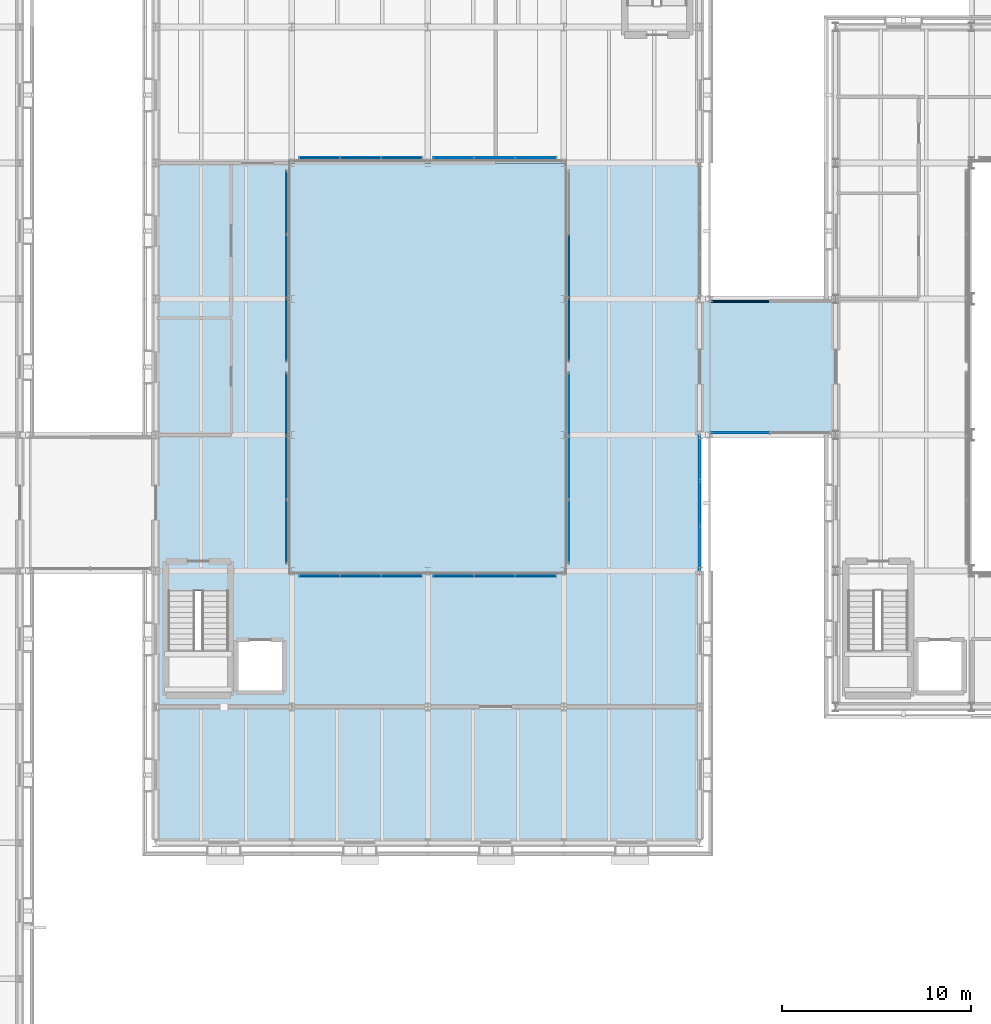
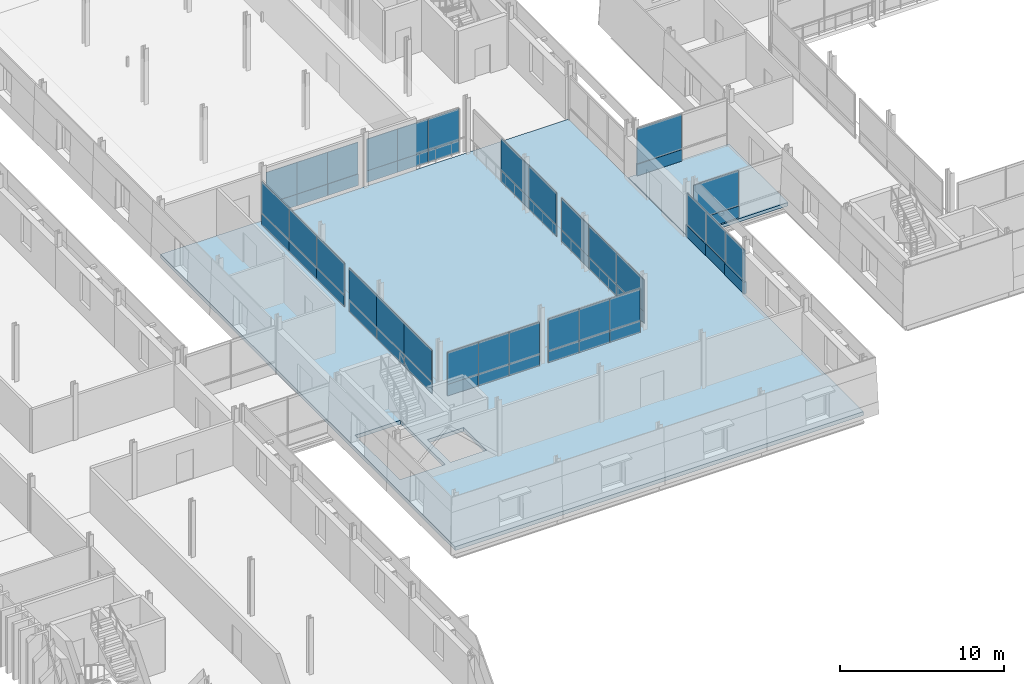
# One storey, part 54 of 115: 56 plates, 2 slabs, 11 elements without a shape of their own.
"""IFC4 building model written with IfcOpenShell, lengths in metres."""

from ifc_helpers import new_model, si_unit, direction, frame, origin, origin_2d, place, context, subcontext, project, spatial, polyline, rectangle, outline, extrude, material, layer, layer_set, type_object, element, aggregate, save


model = new_model("IFC4")

# Units and contexts
model_context = context("Model", 3, precision=1e-05, world=origin(), true_north=direction((0.0, 1.0)))
body_context = subcontext(model_context, "Body", "Model", "MODEL_VIEW")
ifc_project = project(units=[si_unit("LENGTHUNIT", "METRE"), si_unit("AREAUNIT", "SQUARE_METRE"), si_unit("VOLUMEUNIT", "CUBIC_METRE"), si_unit("PLANEANGLEUNIT", "RADIAN"), si_unit("MASSUNIT", "GRAM", prefix="KILO")], contexts=[model_context])

# Site, building, storey
site_placement = place(None, origin())
site = spatial("IfcSite", under=ifc_project, at=site_placement, CompositionType="ELEMENT")
building_placement = place(site_placement, origin())
building = spatial("IfcBuilding", under=site, at=building_placement, Name="Narikvali Park Central Library", CompositionType="ELEMENT")
storey_placement = place(building_placement, frame((0.0, 0.0, 10.199951171875)))
storey = spatial("IfcBuildingStorey", under=building, at=storey_placement, Name="L02", CompositionType="ELEMENT", Elevation=10.199951171875)

# Slabs
ifc_material_1 = material(Name="Concrete C40/50", Category="concrete")
ifc_layer_1 = layer(ifc_material_1, 0.25, Name="Concrete C40/50")
ifc_layer_set_1 = layer_set([ifc_layer_1], Name="Concrete C40/50")
slab_type_1 = type_object("IfcSlabType", Name="Bridge Sliding Deck Slab 250", PredefinedType="FLOOR", material=ifc_layer_set_1)
slab_1_placement = place(storey_placement, frame((0.0, 0.0, -0.25)))
element("IfcSlab", 1, at=slab_1_placement, inside=storey, type_object=slab_type_1, Name="BRG-2 L02 Covered Bridge Deck", PredefinedType="FLOOR", context=body_context, shape_type="SweptSolid", body=[
    extrude(outline(polyline([(57.639892578125, 72.0), (64.760009765625, 72.0), (64.760009765625, 79.199951171875), (57.639892578125, 79.199951171875), (57.639892578125, 72.0)])), origin(), (0.0, 0.0, 1.0), 0.25),
])
ifc_material_2 = material(Name="Concrete C35/45", Category="concrete")
ifc_layer_2 = layer(ifc_material_2, 0.280029296875, Name="Concrete C35/45")
ifc_layer_set_2 = layer_set([ifc_layer_2], Name="Concrete C35/45")
slab_type_2 = type_object("IfcSlabType", Name="Composite Reading Floor Slab 280", PredefinedType="FLOOR", material=ifc_layer_set_2)
slab_2_placement = place(storey_placement, frame((0.0, 0.0, -0.280029296875)))
element("IfcSlab", 2, at=slab_2_placement, inside=storey, type_object=slab_type_2, Name="V4 L02 Structural Slab Panel 1", PredefinedType="FLOOR", context=body_context, shape_type="SweptSolid", body=[
    extrude(outline(polyline([(28.800048828125, 50.39990234375), (57.60009765625, 50.39990234375), (57.60009765625, 86.39990234375), (28.800048828125, 86.39990234375), (28.800048828125, 50.39990234375)]), holes=[polyline([(29.449951171875, 58.300048828125), (32.64990234375, 58.300048828125), (32.64990234375, 63.75), (29.449951171875, 63.75), (29.449951171875, 58.300048828125)]), polyline([(33.050048828125, 58.35009765625), (35.60009765625, 58.35009765625), (35.60009765625, 61.14990234375), (33.050048828125, 61.14990234375), (33.050048828125, 58.35009765625)])]), origin(), (0.0, 0.0, 1.0), 0.280029296875),
])

# Curtain wall, plate
ifc_material_3 = material(Name="Anodised Bronze Aluminium", Category="aluminium")
ifc_layer_3 = layer(ifc_material_3, 0.219970703125, Name="Anodised Bronze Aluminium")
ifc_layer_set_3 = layer_set([ifc_layer_3], Name="Anodised Bronze Aluminium")
curtain_wall_type_1 = type_object("IfcCurtainWallType", Name="Atrium Tall Curtain Wall System", PredefinedType="NOTDEFINED", material=ifc_layer_set_3)
curtain_wall_1_placement = place(storey_placement, origin())
curtain_wall_1 = element("IfcCurtainWall", 3, at=curtain_wall_1_placement, inside=storey, type_object=curtain_wall_type_1, Name="Atrium Tall Curtain Wall System CW-V4-L02-E-03", PredefinedType="NOTDEFINED")
ifc_material_4 = material(Name="Anodised Bronze Acoustic Spandrel Cassette")
ifc_layer_4 = layer(ifc_material_4, 0.1650390625, Name="Anodised Bronze Acoustic Spandrel Cassette")
ifc_layer_set_4 = layer_set([ifc_layer_4], Name="Anodised Bronze Acoustic Spandrel Cassette")
plate_type_1 = type_object("IfcPlateType", Name="Curtain Wall Acoustic Plenum Louvre Cassette 165", PredefinedType="CURTAIN_PANEL", material=ifc_layer_set_4)
plate_1_placement = place(storey_placement, frame((57.60009765625, 66.025390625, 0.03515625), z_axis=(0.0, 0.0, 1.0), x_axis=(0.0, 1.0, 0.0)))
plate_1 = element("IfcPlate", 4, at=plate_1_placement, type_object=plate_type_1, Name="CW-V4-L02-E-03 Panel 00-0", PredefinedType="CURTAIN_PANEL", context=body_context, shape_type="SweptSolid", body=[
    extrude(rectangle(XDim=2.36474609375, YDim=0.1650390625, at=origin_2d()), origin(), (0.0, 0.0, 1.0), 0.860107421875),
])

ifc_layer_5 = layer(ifc_material_3, 0.219970703125, Name="Anodised Bronze Aluminium")
ifc_layer_set_5 = layer_set([ifc_layer_5], Name="Anodised Bronze Aluminium")
curtain_wall_type_2 = type_object("IfcCurtainWallType", Name="Bridge Covered Passage Glazing System", PredefinedType="NOTDEFINED", material=ifc_layer_set_5)
curtain_wall_2_placement = place(storey_placement, origin())
curtain_wall_2 = element("IfcCurtainWall", 5, at=curtain_wall_2_placement, inside=storey, type_object=curtain_wall_type_2, Name="Bridge Covered Passage Glazing System CW-BRG-2-L02-N1", PredefinedType="NOTDEFINED")
ifc_material_5 = material(Name="Heavy Acoustic Laminated Clerestory Glazing", Category="glass")
ifc_layer_6 = layer(ifc_material_5, 0.06396484375, Name="Heavy Acoustic Laminated Clerestory Glazing")
ifc_layer_set_6 = layer_set([ifc_layer_6], Name="Heavy Acoustic Laminated Clerestory Glazing")
plate_type_2 = type_object("IfcPlateType", Name="Curtain Wall Clerestory Laminated Acoustic Glass 64", PredefinedType="CURTAIN_PANEL", material=ifc_layer_set_6)
plate_2_placement = place(storey_placement, frame((59.737548828125, 79.080078125, 0.90478515625), z_axis=(0.0, 0.0, 1.0), x_axis=(1.0, 0.0, 0.0)))
plate_2 = element("IfcPlate", 6, at=plate_2_placement, type_object=plate_type_2, Name="CW-BRG-2-L02-N1 Panel 00-1", PredefinedType="CURTAIN_PANEL", context=body_context, shape_type="SweptSolid", body=[
    extrude(rectangle(XDim=3.1650390625, YDim=0.06396484375, at=origin_2d()), origin(), (0.0, 0.0, 1.0), 2.610107421875),
])

# Curtain wall, plates
curtain_wall_3_placement = place(storey_placement, origin())
curtain_wall_3 = element("IfcCurtainWall", 7, at=curtain_wall_3_placement, inside=storey, type_object=curtain_wall_type_1, Name="Atrium Tall Curtain Wall System CW-INT-V4-L02-W1", PredefinedType="NOTDEFINED")
plate_3_placement = place(storey_placement, frame((35.719970703125, 66.88330078125, 0.90478515625), z_axis=(0.0, 0.0, 1.0), x_axis=(0.0, 1.0, 0.0)))
plate_3 = element("IfcPlate", 8, at=plate_3_placement, type_object=plate_type_2, Name="CW-INT-V4-L02-W1 Panel 00-1", PredefinedType="CURTAIN_PANEL", context=body_context, shape_type="SweptSolid", body=[
    extrude(rectangle(XDim=3.356689453125, YDim=0.06396484375, at=origin_2d()), origin(), (0.0, 0.0, 1.0), 2.360107421875),
])
plate_4_placement = place(storey_placement, frame((35.719970703125, 70.25, 0.90478515625), z_axis=(0.0, 0.0, 1.0), x_axis=(0.0, 1.0, 0.0)))
plate_4 = element("IfcPlate", 9, at=plate_4_placement, type_object=plate_type_2, Name="CW-INT-V4-L02-W1 Panel 01-1", PredefinedType="CURTAIN_PANEL", context=body_context, shape_type="SweptSolid", body=[
    extrude(rectangle(XDim=3.356689453125, YDim=0.06396484375, at=origin_2d()), origin(), (0.0, 0.0, 1.0), 2.360107421875),
])
plate_5_placement = place(storey_placement, frame((35.719970703125, 73.61669921875, 0.90478515625), z_axis=(0.0, 0.0, 1.0), x_axis=(0.0, 1.0, 0.0)))
plate_5 = element("IfcPlate", 10, at=plate_5_placement, type_object=plate_type_2, Name="CW-INT-V4-L02-W1 Panel 02-1", PredefinedType="CURTAIN_PANEL", context=body_context, shape_type="SweptSolid", body=[
    extrude(rectangle(XDim=3.356689453125, YDim=0.06396484375, at=origin_2d()), origin(), (0.0, 0.0, 1.0), 2.360107421875),
])

curtain_wall_4_placement = place(storey_placement, origin())
curtain_wall_4 = element("IfcCurtainWall", 11, at=curtain_wall_4_placement, inside=storey, type_object=curtain_wall_type_1, Name="Atrium Tall Curtain Wall System CW-INT-V4-L02-W2", PredefinedType="NOTDEFINED")
plate_6_placement = place(storey_placement, frame((35.719970703125, 77.583251953125, 0.03515625), z_axis=(0.0, 0.0, 1.0), x_axis=(0.0, 1.0, 0.0)))
plate_6 = element("IfcPlate", 12, at=plate_6_placement, type_object=plate_type_2, Name="CW-INT-V4-L02-W2 Panel 00-0", PredefinedType="CURTAIN_PANEL", context=body_context, shape_type="SweptSolid", body=[
    extrude(rectangle(XDim=3.356689453125, YDim=0.06396484375, at=origin_2d()), origin(), (0.0, 0.0, 1.0), 0.860107421875),
])
plate_7_placement = place(storey_placement, frame((35.719970703125, 80.949951171875, 0.03515625), z_axis=(0.0, 0.0, 1.0), x_axis=(0.0, 1.0, 0.0)))
plate_7 = element("IfcPlate", 13, at=plate_7_placement, type_object=plate_type_2, Name="CW-INT-V4-L02-W2 Panel 01-0", PredefinedType="CURTAIN_PANEL", context=body_context, shape_type="SweptSolid", body=[
    extrude(rectangle(XDim=3.356689453125, YDim=0.06396484375, at=origin_2d()), origin(), (0.0, 0.0, 1.0), 0.860107421875),
])
plate_8_placement = place(storey_placement, frame((35.719970703125, 84.316650390625, 0.03515625), z_axis=(0.0, 0.0, 1.0), x_axis=(0.0, 1.0, 0.0)))
plate_8 = element("IfcPlate", 14, at=plate_8_placement, type_object=plate_type_2, Name="CW-INT-V4-L02-W2 Panel 02-0", PredefinedType="CURTAIN_PANEL", context=body_context, shape_type="SweptSolid", body=[
    extrude(rectangle(XDim=3.356689453125, YDim=0.06396484375, at=origin_2d()), origin(), (0.0, 0.0, 1.0), 0.860107421875),
])

curtain_wall_5_placement = place(storey_placement, origin())
curtain_wall_5 = element("IfcCurtainWall", 15, at=curtain_wall_5_placement, inside=storey, type_object=curtain_wall_type_1, Name="Atrium Tall Curtain Wall System CW-INT-V4-L02-E2", PredefinedType="NOTDEFINED")
plate_9_placement = place(storey_placement, frame((50.679931640625, 77.583251953125, 0.90478515625), z_axis=(0.0, 0.0, 1.0), x_axis=(0.0, 1.0, 0.0)))
plate_9 = element("IfcPlate", 16, at=plate_9_placement, type_object=plate_type_2, Name="CW-INT-V4-L02-E2 Panel 00-1", PredefinedType="CURTAIN_PANEL", context=body_context, shape_type="SweptSolid", body=[
    extrude(rectangle(XDim=3.356689453125, YDim=0.06396484375, at=origin_2d()), origin(), (0.0, 0.0, 1.0), 2.360107421875),
])
plate_10_placement = place(storey_placement, frame((50.679931640625, 80.949951171875, 0.90478515625), z_axis=(0.0, 0.0, 1.0), x_axis=(0.0, 1.0, 0.0)))
plate_10 = element("IfcPlate", 17, at=plate_10_placement, type_object=plate_type_2, Name="CW-INT-V4-L02-E2 Panel 01-1", PredefinedType="CURTAIN_PANEL", context=body_context, shape_type="SweptSolid", body=[
    extrude(rectangle(XDim=3.356689453125, YDim=0.06396484375, at=origin_2d()), origin(), (0.0, 0.0, 1.0), 2.360107421875),
])

curtain_wall_6_placement = place(storey_placement, origin())
curtain_wall_6 = element("IfcCurtainWall", 18, at=curtain_wall_6_placement, inside=storey, type_object=curtain_wall_type_1, Name="Atrium Tall Curtain Wall System CW-INT-V4-L02-N1", PredefinedType="NOTDEFINED")
plate_11_placement = place(storey_placement, frame((37.4833984375, 86.679931640625, 0.03515625), z_axis=(0.0, 0.0, 1.0), x_axis=(1.0, 0.0, 0.0)))
plate_11 = element("IfcPlate", 19, at=plate_11_placement, type_object=plate_type_2, Name="CW-INT-V4-L02-N1 Panel 00-0", PredefinedType="CURTAIN_PANEL", context=body_context, shape_type="SweptSolid", body=[
    extrude(rectangle(XDim=2.15673828125, YDim=0.06396484375, at=origin_2d()), origin(), (0.0, 0.0, 1.0), 0.860107421875),
])
plate_12_placement = place(storey_placement, frame((39.64990234375, 86.679931640625, 0.03515625), z_axis=(0.0, 0.0, 1.0), x_axis=(1.0, 0.0, 0.0)))
plate_12 = element("IfcPlate", 20, at=plate_12_placement, type_object=plate_type_2, Name="CW-INT-V4-L02-N1 Panel 01-0", PredefinedType="CURTAIN_PANEL", context=body_context, shape_type="SweptSolid", body=[
    extrude(rectangle(XDim=2.15673828125, YDim=0.06396484375, at=origin_2d()), origin(), (0.0, 0.0, 1.0), 0.860107421875),
])
plate_13_placement = place(storey_placement, frame((41.816650390625, 86.679931640625, 0.03515625), z_axis=(0.0, 0.0, 1.0), x_axis=(1.0, 0.0, 0.0)))
plate_13 = element("IfcPlate", 21, at=plate_13_placement, type_object=plate_type_2, Name="CW-INT-V4-L02-N1 Panel 02-0", PredefinedType="CURTAIN_PANEL", context=body_context, shape_type="SweptSolid", body=[
    extrude(rectangle(XDim=2.15673828125, YDim=0.06396484375, at=origin_2d()), origin(), (0.0, 0.0, 1.0), 0.860107421875),
])

curtain_wall_7_placement = place(storey_placement, origin())
curtain_wall_7 = element("IfcCurtainWall", 22, at=curtain_wall_7_placement, inside=storey, type_object=curtain_wall_type_1, Name="Atrium Tall Curtain Wall System CW-INT-V4-L02-S1", PredefinedType="NOTDEFINED")
plate_14_placement = place(storey_placement, frame((37.4833984375, 64.52001953125, 0.90478515625), z_axis=(0.0, 0.0, 1.0), x_axis=(1.0, 0.0, 0.0)))
plate_14 = element("IfcPlate", 23, at=plate_14_placement, type_object=plate_type_2, Name="CW-INT-V4-L02-S1 Panel 00-1", PredefinedType="CURTAIN_PANEL", context=body_context, shape_type="SweptSolid", body=[
    extrude(rectangle(XDim=2.15673828125, YDim=0.06396484375, at=origin_2d()), origin(), (0.0, 0.0, 1.0), 2.360107421875),
])
plate_15_placement = place(storey_placement, frame((39.64990234375, 64.52001953125, 0.90478515625), z_axis=(0.0, 0.0, 1.0), x_axis=(1.0, 0.0, 0.0)))
plate_15 = element("IfcPlate", 24, at=plate_15_placement, type_object=plate_type_2, Name="CW-INT-V4-L02-S1 Panel 01-1", PredefinedType="CURTAIN_PANEL", context=body_context, shape_type="SweptSolid", body=[
    extrude(rectangle(XDim=2.15673828125, YDim=0.06396484375, at=origin_2d()), origin(), (0.0, 0.0, 1.0), 2.360107421875),
])
plate_16_placement = place(storey_placement, frame((41.816650390625, 64.52001953125, 0.90478515625), z_axis=(0.0, 0.0, 1.0), x_axis=(1.0, 0.0, 0.0)))
plate_16 = element("IfcPlate", 25, at=plate_16_placement, type_object=plate_type_2, Name="CW-INT-V4-L02-S1 Panel 02-1", PredefinedType="CURTAIN_PANEL", context=body_context, shape_type="SweptSolid", body=[
    extrude(rectangle(XDim=2.15673828125, YDim=0.06396484375, at=origin_2d()), origin(), (0.0, 0.0, 1.0), 2.360107421875),
])

curtain_wall_8_placement = place(storey_placement, origin())
curtain_wall_8 = element("IfcCurtainWall", 26, at=curtain_wall_8_placement, inside=storey, type_object=curtain_wall_type_1, Name="Atrium Tall Curtain Wall System CW-INT-V4-L02-S2", PredefinedType="NOTDEFINED")
plate_17_placement = place(storey_placement, frame((44.583251953125, 64.52001953125, 0.03515625), z_axis=(0.0, 0.0, 1.0), x_axis=(1.0, 0.0, 0.0)))
plate_17 = element("IfcPlate", 27, at=plate_17_placement, type_object=plate_type_2, Name="CW-INT-V4-L02-S2 Panel 00-0", PredefinedType="CURTAIN_PANEL", context=body_context, shape_type="SweptSolid", body=[
    extrude(rectangle(XDim=2.15673828125, YDim=0.06396484375, at=origin_2d()), origin(), (0.0, 0.0, 1.0), 0.860107421875),
])
plate_18_placement = place(storey_placement, frame((46.75, 64.52001953125, 0.03515625), z_axis=(0.0, 0.0, 1.0), x_axis=(1.0, 0.0, 0.0)))
plate_18 = element("IfcPlate", 28, at=plate_18_placement, type_object=plate_type_2, Name="CW-INT-V4-L02-S2 Panel 01-0", PredefinedType="CURTAIN_PANEL", context=body_context, shape_type="SweptSolid", body=[
    extrude(rectangle(XDim=2.15673828125, YDim=0.06396484375, at=origin_2d()), origin(), (0.0, 0.0, 1.0), 0.860107421875),
])
plate_19_placement = place(storey_placement, frame((48.916748046875, 64.52001953125, 0.03515625), z_axis=(0.0, 0.0, 1.0), x_axis=(1.0, 0.0, 0.0)))
plate_19 = element("IfcPlate", 29, at=plate_19_placement, type_object=plate_type_2, Name="CW-INT-V4-L02-S2 Panel 02-0", PredefinedType="CURTAIN_PANEL", context=body_context, shape_type="SweptSolid", body=[
    extrude(rectangle(XDim=2.15673828125, YDim=0.06396484375, at=origin_2d()), origin(), (0.0, 0.0, 1.0), 0.860107421875),
])

# Plate
ifc_material_6 = material(Name="Double Low-E Tempered Vision Glazing", Category="glass")
ifc_layer_7 = layer(ifc_material_6, 0.035888671875, Name="Double Low-E Tempered Vision Glazing")
ifc_layer_set_7 = layer_set([ifc_layer_7], Name="Double Low-E Tempered Vision Glazing")
plate_type_3 = type_object("IfcPlateType", Name="Curtain Wall Double Low-E Vision Glazing 36", PredefinedType="CURTAIN_PANEL", material=ifc_layer_set_7)
plate_20_placement = place(storey_placement, frame((57.60009765625, 66.025390625, 0.90478515625), z_axis=(0.0, 0.0, 1.0), x_axis=(0.0, 1.0, 0.0)))
plate_20 = element("IfcPlate", 30, at=plate_20_placement, type_object=plate_type_3, Name="CW-V4-L02-E-03 Panel 00-1", PredefinedType="CURTAIN_PANEL", context=body_context, shape_type="SweptSolid", body=[
    extrude(rectangle(XDim=2.36474609375, YDim=0.035888671875, at=origin_2d()), origin(), (0.0, 0.0, 1.0), 2.360107421875),
])

plate_21_placement = place(storey_placement, frame((57.60009765625, 68.39990234375, 0.90478515625), z_axis=(0.0, 0.0, 1.0), x_axis=(0.0, 1.0, 0.0)))
plate_21 = element("IfcPlate", 31, at=plate_21_placement, type_object=plate_type_3, Name="CW-V4-L02-E-03 Panel 01-1", PredefinedType="CURTAIN_PANEL", context=body_context, shape_type="SweptSolid", body=[
    extrude(rectangle(XDim=2.36474609375, YDim=0.035888671875, at=origin_2d()), origin(), (0.0, 0.0, 1.0), 2.360107421875),
])

plate_22_placement = place(storey_placement, frame((57.60009765625, 70.774658203125, 0.90478515625), z_axis=(0.0, 0.0, 1.0), x_axis=(0.0, 1.0, 0.0)))
plate_22 = element("IfcPlate", 32, at=plate_22_placement, type_object=plate_type_3, Name="CW-V4-L02-E-03 Panel 02-1", PredefinedType="CURTAIN_PANEL", context=body_context, shape_type="SweptSolid", body=[
    extrude(rectangle(XDim=2.36474609375, YDim=0.035888671875, at=origin_2d()), origin(), (0.0, 0.0, 1.0), 2.360107421875),
])

plate_23_placement = place(storey_placement, frame((35.719970703125, 77.583251953125, 0.90478515625), z_axis=(0.0, 0.0, 1.0), x_axis=(0.0, 1.0, 0.0)))
plate_23 = element("IfcPlate", 33, at=plate_23_placement, type_object=plate_type_3, Name="CW-INT-V4-L02-W2 Panel 00-1", PredefinedType="CURTAIN_PANEL", context=body_context, shape_type="SweptSolid", body=[
    extrude(rectangle(XDim=3.356689453125, YDim=0.035888671875, at=origin_2d()), origin(), (0.0, 0.0, 1.0), 2.360107421875),
])

plate_24_placement = place(storey_placement, frame((35.719970703125, 80.949951171875, 0.90478515625), z_axis=(0.0, 0.0, 1.0), x_axis=(0.0, 1.0, 0.0)))
plate_24 = element("IfcPlate", 34, at=plate_24_placement, type_object=plate_type_3, Name="CW-INT-V4-L02-W2 Panel 01-1", PredefinedType="CURTAIN_PANEL", context=body_context, shape_type="SweptSolid", body=[
    extrude(rectangle(XDim=3.356689453125, YDim=0.035888671875, at=origin_2d()), origin(), (0.0, 0.0, 1.0), 2.360107421875),
])

plate_25_placement = place(storey_placement, frame((35.719970703125, 84.316650390625, 0.90478515625), z_axis=(0.0, 0.0, 1.0), x_axis=(0.0, 1.0, 0.0)))
plate_25 = element("IfcPlate", 35, at=plate_25_placement, type_object=plate_type_3, Name="CW-INT-V4-L02-W2 Panel 02-1", PredefinedType="CURTAIN_PANEL", context=body_context, shape_type="SweptSolid", body=[
    extrude(rectangle(XDim=3.356689453125, YDim=0.035888671875, at=origin_2d()), origin(), (0.0, 0.0, 1.0), 2.360107421875),
])

aggregate(curtain_wall_4, [plate_6, plate_23, plate_7, plate_24, plate_8, plate_25])

# Curtain wall, plates
curtain_wall_9_placement = place(storey_placement, origin())
curtain_wall_9 = element("IfcCurtainWall", 36, at=curtain_wall_9_placement, inside=storey, type_object=curtain_wall_type_1, Name="Atrium Tall Curtain Wall System CW-INT-V4-L02-E1", PredefinedType="NOTDEFINED")
plate_26_placement = place(storey_placement, frame((50.679931640625, 66.88330078125, 0.03515625), z_axis=(0.0, 0.0, 1.0), x_axis=(0.0, 1.0, 0.0)))
plate_26 = element("IfcPlate", 37, at=plate_26_placement, type_object=plate_type_3, Name="CW-INT-V4-L02-E1 Panel 00-0", PredefinedType="CURTAIN_PANEL", context=body_context, shape_type="SweptSolid", body=[
    extrude(rectangle(XDim=3.356689453125, YDim=0.035888671875, at=origin_2d()), origin(), (0.0, 0.0, 1.0), 0.860107421875),
])
plate_27_placement = place(storey_placement, frame((50.679931640625, 70.25, 0.03515625), z_axis=(0.0, 0.0, 1.0), x_axis=(0.0, 1.0, 0.0)))
plate_27 = element("IfcPlate", 38, at=plate_27_placement, type_object=plate_type_3, Name="CW-INT-V4-L02-E1 Panel 01-0", PredefinedType="CURTAIN_PANEL", context=body_context, shape_type="SweptSolid", body=[
    extrude(rectangle(XDim=3.356689453125, YDim=0.035888671875, at=origin_2d()), origin(), (0.0, 0.0, 1.0), 0.860107421875),
])
plate_28_placement = place(storey_placement, frame((50.679931640625, 73.61669921875, 0.03515625), z_axis=(0.0, 0.0, 1.0), x_axis=(0.0, 1.0, 0.0)))
plate_28 = element("IfcPlate", 39, at=plate_28_placement, type_object=plate_type_3, Name="CW-INT-V4-L02-E1 Panel 02-0", PredefinedType="CURTAIN_PANEL", context=body_context, shape_type="SweptSolid", body=[
    extrude(rectangle(XDim=3.356689453125, YDim=0.035888671875, at=origin_2d()), origin(), (0.0, 0.0, 1.0), 0.860107421875),
])

# Plate
plate_29_placement = place(storey_placement, frame((37.4833984375, 86.679931640625, 0.90478515625), z_axis=(0.0, 0.0, 1.0), x_axis=(1.0, 0.0, 0.0)))
plate_29 = element("IfcPlate", 40, at=plate_29_placement, type_object=plate_type_3, Name="CW-INT-V4-L02-N1 Panel 00-1", PredefinedType="CURTAIN_PANEL", context=body_context, shape_type="SweptSolid", body=[
    extrude(rectangle(XDim=2.15673828125, YDim=0.035888671875, at=origin_2d()), origin(), (0.0, 0.0, 1.0), 2.360107421875),
])

plate_30_placement = place(storey_placement, frame((39.64990234375, 86.679931640625, 0.90478515625), z_axis=(0.0, 0.0, 1.0), x_axis=(1.0, 0.0, 0.0)))
plate_30 = element("IfcPlate", 41, at=plate_30_placement, type_object=plate_type_3, Name="CW-INT-V4-L02-N1 Panel 01-1", PredefinedType="CURTAIN_PANEL", context=body_context, shape_type="SweptSolid", body=[
    extrude(rectangle(XDim=2.15673828125, YDim=0.035888671875, at=origin_2d()), origin(), (0.0, 0.0, 1.0), 2.360107421875),
])

plate_31_placement = place(storey_placement, frame((41.816650390625, 86.679931640625, 0.90478515625), z_axis=(0.0, 0.0, 1.0), x_axis=(1.0, 0.0, 0.0)))
plate_31 = element("IfcPlate", 42, at=plate_31_placement, type_object=plate_type_3, Name="CW-INT-V4-L02-N1 Panel 02-1", PredefinedType="CURTAIN_PANEL", context=body_context, shape_type="SweptSolid", body=[
    extrude(rectangle(XDim=2.15673828125, YDim=0.035888671875, at=origin_2d()), origin(), (0.0, 0.0, 1.0), 2.360107421875),
])

aggregate(curtain_wall_6, [plate_11, plate_29, plate_12, plate_30, plate_13, plate_31])

# Curtain wall, plates
curtain_wall_10_placement = place(storey_placement, origin())
curtain_wall_10 = element("IfcCurtainWall", 43, at=curtain_wall_10_placement, inside=storey, type_object=curtain_wall_type_1, Name="Atrium Tall Curtain Wall System CW-INT-V4-L02-N2", PredefinedType="NOTDEFINED")
plate_32_placement = place(storey_placement, frame((44.583251953125, 86.679931640625, 0.03515625), z_axis=(0.0, 0.0, 1.0), x_axis=(1.0, 0.0, 0.0)))
plate_32 = element("IfcPlate", 44, at=plate_32_placement, type_object=plate_type_3, Name="CW-INT-V4-L02-N2 Panel 00-0", PredefinedType="CURTAIN_PANEL", context=body_context, shape_type="SweptSolid", body=[
    extrude(rectangle(XDim=2.15673828125, YDim=0.035888671875, at=origin_2d()), origin(), (0.0, 0.0, 1.0), 0.860107421875),
])
plate_33_placement = place(storey_placement, frame((46.75, 86.679931640625, 0.03515625), z_axis=(0.0, 0.0, 1.0), x_axis=(1.0, 0.0, 0.0)))
plate_33 = element("IfcPlate", 45, at=plate_33_placement, type_object=plate_type_3, Name="CW-INT-V4-L02-N2 Panel 01-0", PredefinedType="CURTAIN_PANEL", context=body_context, shape_type="SweptSolid", body=[
    extrude(rectangle(XDim=2.15673828125, YDim=0.035888671875, at=origin_2d()), origin(), (0.0, 0.0, 1.0), 0.860107421875),
])
plate_34_placement = place(storey_placement, frame((48.916748046875, 86.679931640625, 0.03515625), z_axis=(0.0, 0.0, 1.0), x_axis=(1.0, 0.0, 0.0)))
plate_34 = element("IfcPlate", 46, at=plate_34_placement, type_object=plate_type_3, Name="CW-INT-V4-L02-N2 Panel 02-0", PredefinedType="CURTAIN_PANEL", context=body_context, shape_type="SweptSolid", body=[
    extrude(rectangle(XDim=2.15673828125, YDim=0.035888671875, at=origin_2d()), origin(), (0.0, 0.0, 1.0), 0.860107421875),
])

# Plate
plate_35_placement = place(storey_placement, frame((44.583251953125, 64.52001953125, 0.90478515625), z_axis=(0.0, 0.0, 1.0), x_axis=(1.0, 0.0, 0.0)))
plate_35 = element("IfcPlate", 47, at=plate_35_placement, type_object=plate_type_3, Name="CW-INT-V4-L02-S2 Panel 00-1", PredefinedType="CURTAIN_PANEL", context=body_context, shape_type="SweptSolid", body=[
    extrude(rectangle(XDim=2.15673828125, YDim=0.035888671875, at=origin_2d()), origin(), (0.0, 0.0, 1.0), 2.360107421875),
])

plate_36_placement = place(storey_placement, frame((46.75, 64.52001953125, 0.90478515625), z_axis=(0.0, 0.0, 1.0), x_axis=(1.0, 0.0, 0.0)))
plate_36 = element("IfcPlate", 48, at=plate_36_placement, type_object=plate_type_3, Name="CW-INT-V4-L02-S2 Panel 01-1", PredefinedType="CURTAIN_PANEL", context=body_context, shape_type="SweptSolid", body=[
    extrude(rectangle(XDim=2.15673828125, YDim=0.035888671875, at=origin_2d()), origin(), (0.0, 0.0, 1.0), 2.360107421875),
])

plate_37_placement = place(storey_placement, frame((48.916748046875, 64.52001953125, 0.90478515625), z_axis=(0.0, 0.0, 1.0), x_axis=(1.0, 0.0, 0.0)))
plate_37 = element("IfcPlate", 49, at=plate_37_placement, type_object=plate_type_3, Name="CW-INT-V4-L02-S2 Panel 02-1", PredefinedType="CURTAIN_PANEL", context=body_context, shape_type="SweptSolid", body=[
    extrude(rectangle(XDim=2.15673828125, YDim=0.035888671875, at=origin_2d()), origin(), (0.0, 0.0, 1.0), 2.360107421875),
])

aggregate(curtain_wall_8, [plate_17, plate_35, plate_18, plate_36, plate_19, plate_37])

ifc_material_7 = material(Name="Anodised Bronze Insulated Spandrel Cassette")
ifc_layer_8 = layer(ifc_material_7, 0.110107421875, Name="Anodised Bronze Insulated Spandrel Cassette")
ifc_layer_set_8 = layer_set([ifc_layer_8], Name="Anodised Bronze Insulated Spandrel Cassette")
plate_type_4 = type_object("IfcPlateType", Name="Curtain Wall Insulated Bronze Spandrel Cassette 110", PredefinedType="CURTAIN_PANEL", material=ifc_layer_set_8)
plate_38_placement = place(storey_placement, frame((57.60009765625, 68.39990234375, 0.03515625), z_axis=(0.0, 0.0, 1.0), x_axis=(0.0, 1.0, 0.0)))
plate_38 = element("IfcPlate", 50, at=plate_38_placement, type_object=plate_type_4, Name="CW-V4-L02-E-03 Panel 01-0", PredefinedType="CURTAIN_PANEL", context=body_context, shape_type="SweptSolid", body=[
    extrude(rectangle(XDim=2.36474609375, YDim=0.110107421875, at=origin_2d()), origin(), (0.0, 0.0, 1.0), 0.860107421875),
])

# Curtain wall, plate
curtain_wall_11_placement = place(storey_placement, origin())
curtain_wall_11 = element("IfcCurtainWall", 51, at=curtain_wall_11_placement, inside=storey, type_object=curtain_wall_type_2, Name="Bridge Covered Passage Glazing System CW-BRG-2-L02-S1", PredefinedType="NOTDEFINED")
plate_39_placement = place(storey_placement, frame((59.737548828125, 72.1201171875, 0.03515625), z_axis=(0.0, 0.0, 1.0), x_axis=(1.0, 0.0, 0.0)))
plate_39 = element("IfcPlate", 52, at=plate_39_placement, type_object=plate_type_4, Name="CW-BRG-2-L02-S1 Panel 00-0", PredefinedType="CURTAIN_PANEL", context=body_context, shape_type="SweptSolid", body=[
    extrude(rectangle(XDim=3.1650390625, YDim=0.110107421875, at=origin_2d()), origin(), (0.0, 0.0, 1.0), 0.860107421875),
])

# Plate
ifc_material_8 = material(Name="Mineral-Wool Shadow-Box Spandrel Assembly")
ifc_layer_9 = layer(ifc_material_8, 0.139892578125, Name="Mineral-Wool Shadow-Box Spandrel Assembly")
ifc_layer_set_9 = layer_set([ifc_layer_9], Name="Mineral-Wool Shadow-Box Spandrel Assembly")
plate_type_5 = type_object("IfcPlateType", Name="Curtain Wall Shadow-Box Mineral Spandrel Panel 140", PredefinedType="CURTAIN_PANEL", material=ifc_layer_set_9)
plate_40_placement = place(storey_placement, frame((57.60009765625, 70.774658203125, 0.03515625), z_axis=(0.0, 0.0, 1.0), x_axis=(0.0, 1.0, 0.0)))
plate_40 = element("IfcPlate", 53, at=plate_40_placement, type_object=plate_type_5, Name="CW-V4-L02-E-03 Panel 02-0", PredefinedType="CURTAIN_PANEL", context=body_context, shape_type="SweptSolid", body=[
    extrude(rectangle(XDim=2.36474609375, YDim=0.139892578125, at=origin_2d()), origin(), (0.0, 0.0, 1.0), 0.860107421875),
])

aggregate(curtain_wall_1, [plate_1, plate_20, plate_38, plate_21, plate_40, plate_22])

plate_41_placement = place(storey_placement, frame((59.737548828125, 79.080078125, 0.03515625), z_axis=(0.0, 0.0, 1.0), x_axis=(1.0, 0.0, 0.0)))
plate_41 = element("IfcPlate", 54, at=plate_41_placement, type_object=plate_type_5, Name="CW-BRG-2-L02-N1 Panel 00-0", PredefinedType="CURTAIN_PANEL", context=body_context, shape_type="SweptSolid", body=[
    extrude(rectangle(XDim=3.1650390625, YDim=0.139892578125, at=origin_2d()), origin(), (0.0, 0.0, 1.0), 0.860107421875),
])

aggregate(curtain_wall_2, [plate_41, plate_2])

ifc_material_9 = material(Name="Triple Low-E Acoustic Laminated Glazing", Category="glass")
ifc_layer_10 = layer(ifc_material_9, 0.048095703125, Name="Triple Low-E Acoustic Laminated Glazing")
ifc_layer_set_10 = layer_set([ifc_layer_10], Name="Triple Low-E Acoustic Laminated Glazing")
plate_type_6 = type_object("IfcPlateType", Name="Curtain Wall Triple Solar-Acoustic Glazing 48", PredefinedType="CURTAIN_PANEL", material=ifc_layer_set_10)
plate_42_placement = place(storey_placement, frame((59.737548828125, 72.1201171875, 0.90478515625), z_axis=(0.0, 0.0, 1.0), x_axis=(1.0, 0.0, 0.0)))
plate_42 = element("IfcPlate", 55, at=plate_42_placement, type_object=plate_type_6, Name="CW-BRG-2-L02-S1 Panel 00-1", PredefinedType="CURTAIN_PANEL", context=body_context, shape_type="SweptSolid", body=[
    extrude(rectangle(XDim=3.1650390625, YDim=0.048095703125, at=origin_2d()), origin(), (0.0, 0.0, 1.0), 2.610107421875),
])

aggregate(curtain_wall_11, [plate_39, plate_42])

plate_43_placement = place(storey_placement, frame((35.719970703125, 66.88330078125, 0.03515625), z_axis=(0.0, 0.0, 1.0), x_axis=(0.0, 1.0, 0.0)))
plate_43 = element("IfcPlate", 56, at=plate_43_placement, type_object=plate_type_6, Name="CW-INT-V4-L02-W1 Panel 00-0", PredefinedType="CURTAIN_PANEL", context=body_context, shape_type="SweptSolid", body=[
    extrude(rectangle(XDim=3.356689453125, YDim=0.048095703125, at=origin_2d()), origin(), (0.0, 0.0, 1.0), 0.860107421875),
])

plate_44_placement = place(storey_placement, frame((35.719970703125, 70.25, 0.03515625), z_axis=(0.0, 0.0, 1.0), x_axis=(0.0, 1.0, 0.0)))
plate_44 = element("IfcPlate", 57, at=plate_44_placement, type_object=plate_type_6, Name="CW-INT-V4-L02-W1 Panel 01-0", PredefinedType="CURTAIN_PANEL", context=body_context, shape_type="SweptSolid", body=[
    extrude(rectangle(XDim=3.356689453125, YDim=0.048095703125, at=origin_2d()), origin(), (0.0, 0.0, 1.0), 0.860107421875),
])

plate_45_placement = place(storey_placement, frame((35.719970703125, 73.61669921875, 0.03515625), z_axis=(0.0, 0.0, 1.0), x_axis=(0.0, 1.0, 0.0)))
plate_45 = element("IfcPlate", 58, at=plate_45_placement, type_object=plate_type_6, Name="CW-INT-V4-L02-W1 Panel 02-0", PredefinedType="CURTAIN_PANEL", context=body_context, shape_type="SweptSolid", body=[
    extrude(rectangle(XDim=3.356689453125, YDim=0.048095703125, at=origin_2d()), origin(), (0.0, 0.0, 1.0), 0.860107421875),
])

aggregate(curtain_wall_3, [plate_43, plate_3, plate_44, plate_4, plate_45, plate_5])

plate_46_placement = place(storey_placement, frame((50.679931640625, 66.88330078125, 0.90478515625), z_axis=(0.0, 0.0, 1.0), x_axis=(0.0, 1.0, 0.0)))
plate_46 = element("IfcPlate", 59, at=plate_46_placement, type_object=plate_type_6, Name="CW-INT-V4-L02-E1 Panel 00-1", PredefinedType="CURTAIN_PANEL", context=body_context, shape_type="SweptSolid", body=[
    extrude(rectangle(XDim=3.356689453125, YDim=0.048095703125, at=origin_2d()), origin(), (0.0, 0.0, 1.0), 2.360107421875),
])

plate_47_placement = place(storey_placement, frame((50.679931640625, 70.25, 0.90478515625), z_axis=(0.0, 0.0, 1.0), x_axis=(0.0, 1.0, 0.0)))
plate_47 = element("IfcPlate", 60, at=plate_47_placement, type_object=plate_type_6, Name="CW-INT-V4-L02-E1 Panel 01-1", PredefinedType="CURTAIN_PANEL", context=body_context, shape_type="SweptSolid", body=[
    extrude(rectangle(XDim=3.356689453125, YDim=0.048095703125, at=origin_2d()), origin(), (0.0, 0.0, 1.0), 2.360107421875),
])

plate_48_placement = place(storey_placement, frame((50.679931640625, 73.61669921875, 0.90478515625), z_axis=(0.0, 0.0, 1.0), x_axis=(0.0, 1.0, 0.0)))
plate_48 = element("IfcPlate", 61, at=plate_48_placement, type_object=plate_type_6, Name="CW-INT-V4-L02-E1 Panel 02-1", PredefinedType="CURTAIN_PANEL", context=body_context, shape_type="SweptSolid", body=[
    extrude(rectangle(XDim=3.356689453125, YDim=0.048095703125, at=origin_2d()), origin(), (0.0, 0.0, 1.0), 2.360107421875),
])

aggregate(curtain_wall_9, [plate_26, plate_46, plate_27, plate_47, plate_28, plate_48])

plate_49_placement = place(storey_placement, frame((50.679931640625, 77.583251953125, 0.03515625), z_axis=(0.0, 0.0, 1.0), x_axis=(0.0, 1.0, 0.0)))
plate_49 = element("IfcPlate", 62, at=plate_49_placement, type_object=plate_type_6, Name="CW-INT-V4-L02-E2 Panel 00-0", PredefinedType="CURTAIN_PANEL", context=body_context, shape_type="SweptSolid", body=[
    extrude(rectangle(XDim=3.356689453125, YDim=0.048095703125, at=origin_2d()), origin(), (0.0, 0.0, 1.0), 0.860107421875),
])

plate_50_placement = place(storey_placement, frame((50.679931640625, 80.949951171875, 0.03515625), z_axis=(0.0, 0.0, 1.0), x_axis=(0.0, 1.0, 0.0)))
plate_50 = element("IfcPlate", 63, at=plate_50_placement, type_object=plate_type_6, Name="CW-INT-V4-L02-E2 Panel 01-0", PredefinedType="CURTAIN_PANEL", context=body_context, shape_type="SweptSolid", body=[
    extrude(rectangle(XDim=3.356689453125, YDim=0.048095703125, at=origin_2d()), origin(), (0.0, 0.0, 1.0), 0.860107421875),
])

aggregate(curtain_wall_5, [plate_49, plate_9, plate_50, plate_10])

plate_51_placement = place(storey_placement, frame((44.583251953125, 86.679931640625, 0.90478515625), z_axis=(0.0, 0.0, 1.0), x_axis=(1.0, 0.0, 0.0)))
plate_51 = element("IfcPlate", 64, at=plate_51_placement, type_object=plate_type_6, Name="CW-INT-V4-L02-N2 Panel 00-1", PredefinedType="CURTAIN_PANEL", context=body_context, shape_type="SweptSolid", body=[
    extrude(rectangle(XDim=2.15673828125, YDim=0.048095703125, at=origin_2d()), origin(), (0.0, 0.0, 1.0), 2.360107421875),
])

plate_52_placement = place(storey_placement, frame((46.75, 86.679931640625, 0.90478515625), z_axis=(0.0, 0.0, 1.0), x_axis=(1.0, 0.0, 0.0)))
plate_52 = element("IfcPlate", 65, at=plate_52_placement, type_object=plate_type_6, Name="CW-INT-V4-L02-N2 Panel 01-1", PredefinedType="CURTAIN_PANEL", context=body_context, shape_type="SweptSolid", body=[
    extrude(rectangle(XDim=2.15673828125, YDim=0.048095703125, at=origin_2d()), origin(), (0.0, 0.0, 1.0), 2.360107421875),
])

plate_53_placement = place(storey_placement, frame((48.916748046875, 86.679931640625, 0.90478515625), z_axis=(0.0, 0.0, 1.0), x_axis=(1.0, 0.0, 0.0)))
plate_53 = element("IfcPlate", 66, at=plate_53_placement, type_object=plate_type_6, Name="CW-INT-V4-L02-N2 Panel 02-1", PredefinedType="CURTAIN_PANEL", context=body_context, shape_type="SweptSolid", body=[
    extrude(rectangle(XDim=2.15673828125, YDim=0.048095703125, at=origin_2d()), origin(), (0.0, 0.0, 1.0), 2.360107421875),
])

aggregate(curtain_wall_10, [plate_32, plate_51, plate_33, plate_52, plate_34, plate_53])

plate_54_placement = place(storey_placement, frame((37.4833984375, 64.52001953125, 0.03515625), z_axis=(0.0, 0.0, 1.0), x_axis=(1.0, 0.0, 0.0)))
plate_54 = element("IfcPlate", 67, at=plate_54_placement, type_object=plate_type_6, Name="CW-INT-V4-L02-S1 Panel 00-0", PredefinedType="CURTAIN_PANEL", context=body_context, shape_type="SweptSolid", body=[
    extrude(rectangle(XDim=2.15673828125, YDim=0.048095703125, at=origin_2d()), origin(), (0.0, 0.0, 1.0), 0.860107421875),
])

plate_55_placement = place(storey_placement, frame((39.64990234375, 64.52001953125, 0.03515625), z_axis=(0.0, 0.0, 1.0), x_axis=(1.0, 0.0, 0.0)))
plate_55 = element("IfcPlate", 68, at=plate_55_placement, type_object=plate_type_6, Name="CW-INT-V4-L02-S1 Panel 01-0", PredefinedType="CURTAIN_PANEL", context=body_context, shape_type="SweptSolid", body=[
    extrude(rectangle(XDim=2.15673828125, YDim=0.048095703125, at=origin_2d()), origin(), (0.0, 0.0, 1.0), 0.860107421875),
])

plate_56_placement = place(storey_placement, frame((41.816650390625, 64.52001953125, 0.03515625), z_axis=(0.0, 0.0, 1.0), x_axis=(1.0, 0.0, 0.0)))
plate_56 = element("IfcPlate", 69, at=plate_56_placement, type_object=plate_type_6, Name="CW-INT-V4-L02-S1 Panel 02-0", PredefinedType="CURTAIN_PANEL", context=body_context, shape_type="SweptSolid", body=[
    extrude(rectangle(XDim=2.15673828125, YDim=0.048095703125, at=origin_2d()), origin(), (0.0, 0.0, 1.0), 0.860107421875),
])

aggregate(curtain_wall_7, [plate_54, plate_14, plate_55, plate_15, plate_56, plate_16])

save(model, "model.ifc")
